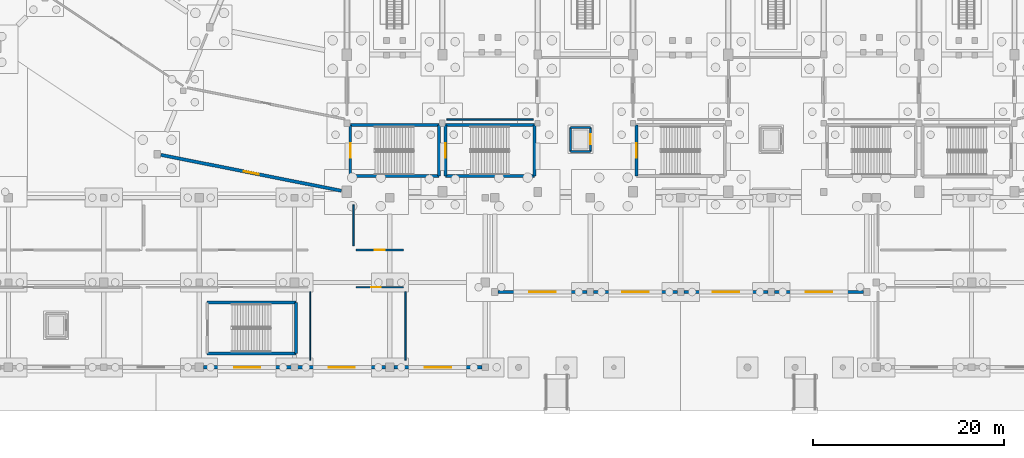
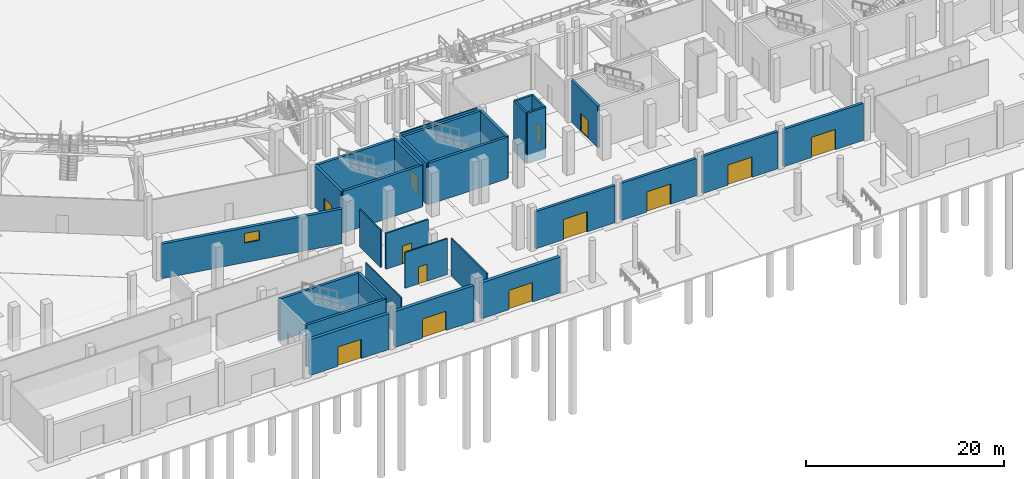
# One storey, part 26 of 68: 30 walls, 13 doors, 1 window, 14 openings.
"""IFC4 building model written with IfcOpenShell, lengths in metres."""

from ifc_helpers import new_model, si_unit, direction, frame, frame_2d, origin, place, context, subcontext, project, spatial, rectangle, extrude, material, layer, layer_set, type_object, element, fill, save


model = new_model("IFC4")

# Units and contexts
model_context = context("Model", 3, precision=1e-05, world=origin(), true_north=direction((0.0, 1.0)))
body_context = subcontext(model_context, "Body", "Model", "MODEL_VIEW")
ifc_project = project(units=[si_unit("LENGTHUNIT", "METRE"), si_unit("AREAUNIT", "SQUARE_METRE"), si_unit("VOLUMEUNIT", "CUBIC_METRE"), si_unit("PLANEANGLEUNIT", "RADIAN"), si_unit("MASSUNIT", "GRAM", prefix="KILO")], contexts=[model_context])

# Site, building, storey
site_placement = place(None, origin())
site = spatial("IfcSite", under=ifc_project, at=site_placement, CompositionType="ELEMENT")
building_placement = place(site_placement, origin())
building = spatial("IfcBuilding", under=site, at=building_placement, Name="Candeia Ridge Stadium", CompositionType="ELEMENT")
storey_placement = place(building_placement, origin())
storey = spatial("IfcBuildingStorey", under=building, at=storey_placement, Name="L00", CompositionType="ELEMENT", Elevation=0.0)

# Wall, opening, door
ifc_material_1 = material(Name="Gypsum Metal-Stud Partition", Category="gypsum")
ifc_layer_1 = layer(ifc_material_1, 0.14501953125, Name="Gypsum Metal-Stud Partition", Category="gypsum")
ifc_layer_set_1 = layer_set([ifc_layer_1], Name="Gypsum Metal-Stud Partition")
wall_type_1 = type_object("IfcWallType", Name="Athlete Recovery Partition 145", PredefinedType="PARTITIONING", material=ifc_layer_set_1)
wall_1_placement = place(storey_placement, frame((71.949951171875, 9.0, 0.0), z_axis=(0.0, 0.0, 1.0), x_axis=(1.0, 0.0, 0.0)))
wall_1 = element("IfcWall", 1, at=wall_1_placement, inside=storey, type_object=wall_type_1, Name="Interior partition PT-L00-0060", PredefinedType="PARTITIONING", context=body_context, shape_type="SweptSolid", body=[
    extrude(rectangle(XDim=4.9599609375, YDim=0.14501953125, at=frame_2d((2.47998046875, 0.0))), origin(), (0.0, 0.0, 1.0), 4.425048828125),
])
opening_1_placement = place(wall_1_placement, frame((1.580078125, 0.0, 0.0)))
opening_1 = element("IfcOpeningElement", 2, at=opening_1_placement, cuts=wall_1, Name="Opening ID06", PredefinedType="OPENING", context=body_context, shape_type="SweptSolid", body=[
    extrude(rectangle(XDim=1.0, YDim=2.10009765625, at=frame_2d((0.5, 1.050048828125))), frame((0.0, 0.08251953125, 0.0), z_axis=(0.0, -1.0, 0.0), x_axis=(1.0, 0.0, 0.0)), (0.0, 0.0, 1.0), 0.1650390625),
])
ifc_material_2 = material(Name="Moisture-Resistant Laminate", Category="wood")
door_type_1 = type_object("IfcDoorType", Name="Accessible Sanitary Door 1000x2100", OperationType="NOTDEFINED", PredefinedType="DOOR", material=ifc_material_2)
door_1_placement = place(opening_1_placement, origin())
door_1 = element("IfcDoor", 3, at=door_1_placement, inside=storey, type_object=door_type_1, Name="Interior room door D-L00-0033", OperationType="SINGLE_SWING_LEFT", OverallHeight=2.10009765625, OverallWidth=1.0, PredefinedType="DOOR", context=body_context, shape_type="SweptSolid", body=[
    extrude(rectangle(XDim=1.0, YDim=2.10009765625, at=frame_2d((0.5, 1.050048828125))), frame((0.0, 0.02490234375, 0.0), z_axis=(0.0, -1.0, 0.0), x_axis=(1.0, 0.0, 0.0)), (0.0, 0.0, 1.0), 0.050048828125),
])
fill(opening_1, door_1)

# Walls
wall_2_placement = place(storey_placement, frame((71.699951171875, 13.35009765625, 0.0), z_axis=(0.0, 0.0, 1.0), x_axis=(0.0, 1.0, 0.0)))
element("IfcWall", 4, at=wall_2_placement, inside=storey, type_object=wall_type_1, Name="Demising partition PT-L00-0063", PredefinedType="PARTITIONING", context=body_context, shape_type="SweptSolid", body=[
    extrude(rectangle(XDim=4.2998046875, YDim=0.14501953125, at=frame_2d((2.14990234375, 0.0))), origin(), (0.0, 0.0, 1.0), 4.625),
])
wall_3_placement = place(storey_placement, frame((90.550048828125, 26.60009765625, 0.0), z_axis=(0.0, 0.0, 1.0), x_axis=(-1.0, 0.0, 0.0)))
element("IfcWall", 5, at=wall_3_placement, inside=storey, type_object=wall_type_1, Name="Demising partition PT-L00-0147", PredefinedType="PARTITIONING", context=body_context, shape_type="SweptSolid", body=[
    extrude(rectangle(XDim=9.06005859375, YDim=0.14501953125, at=frame_2d((4.530029296875, 0.0))), origin(), (0.0, 0.0, 1.0), 5.1201171875),
])
ifc_material_3 = material(Name="Gypsum Acoustic Twin-Stud Assembly", Category="gypsum")
ifc_layer_2 = layer(ifc_material_3, 0.159912109375, Name="Gypsum Acoustic Twin-Stud Assembly", Category="gypsum")
ifc_layer_set_2 = layer_set([ifc_layer_2], Name="Gypsum Acoustic Twin-Stud Assembly")
wall_type_2 = type_object("IfcWallType", Name="Club Dining Acoustic Partition 160", PredefinedType="PARTITIONING", material=ifc_layer_set_2)
wall_4_placement = place(storey_placement, frame((77.159912109375, 8.550048828125, 0.0), z_axis=(0.0, 0.0, 1.0), x_axis=(0.0, -1.0, 0.0)))
element("IfcWall", 6, at=wall_4_placement, inside=storey, type_object=wall_type_2, Name="Demising partition PT-L00-0061", PredefinedType="PARTITIONING", context=body_context, shape_type="SweptSolid", body=[
    extrude(rectangle(XDim=7.199951171875, YDim=0.159912109375, at=frame_2d((3.60009765625, 0.0))), origin(), (0.0, 0.0, 1.0), 4.625),
])
ifc_material_4 = material(Name="Concrete C45/55", Category="concrete")
ifc_layer_3 = layer(ifc_material_4, 0.300048828125, Name="Concrete C45/55", Category="concrete")
ifc_layer_set_3 = layer_set([ifc_layer_3], Name="Concrete C45/55")
wall_type_3 = type_object("IfcWallType", Name="Core Shear Wall Concrete 300", PredefinedType="SHEAR", material=ifc_layer_set_3)
wall_5_placement = place(storey_placement, frame((71.350341796875, 20.650390625, 0.0), z_axis=(0.0, 0.0, 1.0), x_axis=(1.0, 0.0, 0.0)))
element("IfcWall", 7, at=wall_5_placement, inside=storey, type_object=wall_type_3, Name="Core C02 left shear wall L00", PredefinedType="SHEAR", context=body_context, shape_type="SweptSolid", body=[
    extrude(rectangle(XDim=9.29931640625, YDim=0.300048828125, at=frame_2d((4.649658203125, 0.0))), origin(), (0.0, 0.0, 1.0), 5.139892578125),
])
wall_6_placement = place(storey_placement, frame((80.649658203125, 20.650390625, 0.0), z_axis=(0.0, 0.0, 1.0), x_axis=(0.0, 1.0, 0.0)))
element("IfcWall", 8, at=wall_6_placement, inside=storey, type_object=wall_type_3, Name="Core C02 far shear wall L00", PredefinedType="SHEAR", context=body_context, shape_type="SweptSolid", body=[
    extrude(rectangle(XDim=5.34912109375, YDim=0.300048828125, at=frame_2d((2.674560546875, 0.0))), origin(), (0.0, 0.0, 1.0), 5.139892578125),
])
wall_7_placement = place(storey_placement, frame((80.649658203125, 25.99951171875, 0.0), z_axis=(0.0, 0.0, 1.0), x_axis=(-1.0, 0.0, 0.0)))
element("IfcWall", 9, at=wall_7_placement, inside=storey, type_object=wall_type_3, Name="Core C02 right shear wall L00", PredefinedType="SHEAR", context=body_context, shape_type="SweptSolid", body=[
    extrude(rectangle(XDim=9.29931640625, YDim=0.300048828125, at=frame_2d((4.649658203125, 0.0))), origin(), (0.0, 0.0, 1.0), 5.139892578125),
])

# Wall, opening, door
wall_8_placement = place(storey_placement, frame((71.350341796875, 25.99951171875, 0.0), z_axis=(0.0, 0.0, 1.0), x_axis=(0.0, -1.0, 0.0)))
wall_8 = element("IfcWall", 10, at=wall_8_placement, inside=storey, type_object=wall_type_3, Name="Core C02 near shear wall L00", PredefinedType="SHEAR", context=body_context, shape_type="SweptSolid", body=[
    extrude(rectangle(XDim=5.34912109375, YDim=0.300048828125, at=frame_2d((2.674560546875, 0.0))), origin(), (0.0, 0.0, 1.0), 5.139892578125),
])
opening_2_placement = place(wall_8_placement, frame((1.924560546875, 0.0, 0.0)))
opening_2 = element("IfcOpeningElement", 11, at=opening_2_placement, cuts=wall_8, Name="Opening FD01", PredefinedType="OPENING", context=body_context, shape_type="SweptSolid", body=[
    extrude(rectangle(XDim=1.5, YDim=2.199951171875, at=frame_2d((0.75, 1.10009765625))), frame((0.0, 0.159912109375, 0.0), z_axis=(0.0, -1.0, 0.0), x_axis=(1.0, 0.0, 0.0)), (0.0, 0.0, 1.0), 0.320068359375),
])
ifc_material_5 = material(Name="Galvanized Fire-Rated Steel", Category="steel")
door_type_2 = type_object("IfcDoorType", Name="Exit Stair Core Fire Door 1500x2200", OperationType="NOTDEFINED", PredefinedType="DOOR", material=ifc_material_5)
door_2_placement = place(opening_2_placement, frame((1.5, 0.0, 0.0), z_axis=(0.0, 0.0, 1.0), x_axis=(-1.0, 0.0, 0.0)))
door_2 = element("IfcDoor", 12, at=door_2_placement, inside=storey, type_object=door_type_2, Name="Exit stair fire door SD-ST02-L00", OperationType="DOUBLE_DOOR_SINGLE_SWING", OverallHeight=2.199951171875, OverallWidth=1.5, PredefinedType="DOOR", context=body_context, shape_type="SweptSolid", body=[
    extrude(rectangle(XDim=1.5, YDim=2.199951171875, at=frame_2d((0.75, 1.10009765625))), frame((0.0, 0.02490234375, 0.0), z_axis=(0.0, -1.0, 0.0), x_axis=(1.0, 0.0, 0.0)), (0.0, 0.0, 1.0), 0.050048828125),
])
fill(opening_2, door_2)

# Walls
wall_9_placement = place(storey_placement, frame((81.350341796875, 20.650390625, 0.0), z_axis=(0.0, 0.0, 1.0), x_axis=(1.0, 0.0, 0.0)))
element("IfcWall", 13, at=wall_9_placement, inside=storey, type_object=wall_type_3, Name="Core C11 left shear wall L00", PredefinedType="SHEAR", context=body_context, shape_type="SweptSolid", body=[
    extrude(rectangle(XDim=9.29931640625, YDim=0.300048828125, at=frame_2d((4.649658203125, 0.0))), origin(), (0.0, 0.0, 1.0), 5.139892578125),
])
wall_10_placement = place(storey_placement, frame((90.649658203125, 20.650390625, 0.0), z_axis=(0.0, 0.0, 1.0), x_axis=(0.0, 1.0, 0.0)))
element("IfcWall", 14, at=wall_10_placement, inside=storey, type_object=wall_type_3, Name="Core C11 far shear wall L00", PredefinedType="SHEAR", context=body_context, shape_type="SweptSolid", body=[
    extrude(rectangle(XDim=5.34912109375, YDim=0.300048828125, at=frame_2d((2.674560546875, 0.0))), origin(), (0.0, 0.0, 1.0), 5.139892578125),
])
wall_11_placement = place(storey_placement, frame((90.649658203125, 25.99951171875, 0.0), z_axis=(0.0, 0.0, 1.0), x_axis=(-1.0, 0.0, 0.0)))
element("IfcWall", 15, at=wall_11_placement, inside=storey, type_object=wall_type_3, Name="Core C11 right shear wall L00", PredefinedType="SHEAR", context=body_context, shape_type="SweptSolid", body=[
    extrude(rectangle(XDim=9.29931640625, YDim=0.300048828125, at=frame_2d((4.649658203125, 0.0))), origin(), (0.0, 0.0, 1.0), 5.139892578125),
])

# Wall, opening, door
wall_12_placement = place(storey_placement, frame((81.350341796875, 25.99951171875, 0.0), z_axis=(0.0, 0.0, 1.0), x_axis=(0.0, -1.0, 0.0)))
wall_12 = element("IfcWall", 16, at=wall_12_placement, inside=storey, type_object=wall_type_3, Name="Core C11 near shear wall L00", PredefinedType="SHEAR", context=body_context, shape_type="SweptSolid", body=[
    extrude(rectangle(XDim=5.34912109375, YDim=0.300048828125, at=frame_2d((2.674560546875, 0.0))), origin(), (0.0, 0.0, 1.0), 5.139892578125),
])
opening_3_placement = place(wall_12_placement, frame((1.924560546875, 0.0, 0.0)))
opening_3 = element("IfcOpeningElement", 17, at=opening_3_placement, cuts=wall_12, Name="Opening FD01", PredefinedType="OPENING", context=body_context, shape_type="SweptSolid", body=[
    extrude(rectangle(XDim=1.5, YDim=2.199951171875, at=frame_2d((0.75, 1.10009765625))), frame((0.0, 0.159912109375, 0.0), z_axis=(0.0, -1.0, 0.0), x_axis=(1.0, 0.0, 0.0)), (0.0, 0.0, 1.0), 0.320068359375),
])
door_3_placement = place(opening_3_placement, frame((1.5, 0.0, 0.0), z_axis=(0.0, 0.0, 1.0), x_axis=(-1.0, 0.0, 0.0)))
door_3 = element("IfcDoor", 18, at=door_3_placement, inside=storey, type_object=door_type_2, Name="Exit stair fire door SD-ST11-L00", OperationType="DOUBLE_DOOR_SINGLE_SWING", OverallHeight=2.199951171875, OverallWidth=1.5, PredefinedType="DOOR", context=body_context, shape_type="SweptSolid", body=[
    extrude(rectangle(XDim=1.5, YDim=2.199951171875, at=frame_2d((0.75, 1.10009765625))), frame((0.0, 0.02490234375, 0.0), z_axis=(0.0, -1.0, 0.0), x_axis=(1.0, 0.0, 0.0)), (0.0, 0.0, 1.0), 0.050048828125),
])
fill(opening_3, door_3)

# Walls
wall_13_placement = place(storey_placement, frame((56.350341796875, 2.05029296875, 0.0), z_axis=(0.0, 0.0, 1.0), x_axis=(1.0, 0.0, 0.0)))
element("IfcWall", 19, at=wall_13_placement, inside=storey, type_object=wall_type_3, Name="Core C13 left shear wall L00", PredefinedType="SHEAR", context=body_context, shape_type="SweptSolid", body=[
    extrude(rectangle(XDim=9.29931640625, YDim=0.300048828125, at=frame_2d((4.649658203125, 0.0))), origin(), (0.0, 0.0, 1.0), 5.139892578125),
])
wall_14_placement = place(storey_placement, frame((65.649658203125, 2.05029296875, 0.0), z_axis=(0.0, 0.0, 1.0), x_axis=(0.0, 1.0, 0.0)))
element("IfcWall", 20, at=wall_14_placement, inside=storey, type_object=wall_type_3, Name="Core C13 far shear wall L00", PredefinedType="SHEAR", context=body_context, shape_type="SweptSolid", body=[
    extrude(rectangle(XDim=5.349365234375, YDim=0.300048828125, at=frame_2d((2.6748046875, 0.0))), origin(), (0.0, 0.0, 1.0), 5.139892578125),
])
wall_15_placement = place(storey_placement, frame((65.649658203125, 7.399658203125, 0.0), z_axis=(0.0, 0.0, 1.0), x_axis=(-1.0, 0.0, 0.0)))
element("IfcWall", 21, at=wall_15_placement, inside=storey, type_object=wall_type_3, Name="Core C13 right shear wall L00", PredefinedType="SHEAR", context=body_context, shape_type="SweptSolid", body=[
    extrude(rectangle(XDim=9.29931640625, YDim=0.300048828125, at=frame_2d((4.649658203125, 0.0))), origin(), (0.0, 0.0, 1.0), 5.139892578125),
])

# Wall, opening, door
wall_16_placement = place(storey_placement, frame((101.350341796875, 25.99951171875, 0.0), z_axis=(0.0, 0.0, 1.0), x_axis=(0.0, -1.0, 0.0)))
wall_16 = element("IfcWall", 22, at=wall_16_placement, inside=storey, type_object=wall_type_3, Name="Core C18 near shear wall L00", PredefinedType="SHEAR", context=body_context, shape_type="SweptSolid", body=[
    extrude(rectangle(XDim=5.34912109375, YDim=0.300048828125, at=frame_2d((2.674560546875, 0.0))), origin(), (0.0, 0.0, 1.0), 5.139892578125),
])
opening_4_placement = place(wall_16_placement, frame((1.924560546875, 0.0, 0.0)))
opening_4 = element("IfcOpeningElement", 23, at=opening_4_placement, cuts=wall_16, Name="Opening FD01", PredefinedType="OPENING", context=body_context, shape_type="SweptSolid", body=[
    extrude(rectangle(XDim=1.5, YDim=2.199951171875, at=frame_2d((0.75, 1.10009765625))), frame((0.0, 0.159912109375, 0.0), z_axis=(0.0, -1.0, 0.0), x_axis=(1.0, 0.0, 0.0)), (0.0, 0.0, 1.0), 0.320068359375),
])
door_4_placement = place(opening_4_placement, frame((1.5, 0.0, 0.0), z_axis=(0.0, 0.0, 1.0), x_axis=(-1.0, 0.0, 0.0)))
door_4 = element("IfcDoor", 24, at=door_4_placement, inside=storey, type_object=door_type_2, Name="Exit stair fire door SD-ST18-L00", OperationType="DOUBLE_DOOR_SINGLE_SWING", OverallHeight=2.199951171875, OverallWidth=1.5, PredefinedType="DOOR", context=body_context, shape_type="SweptSolid", body=[
    extrude(rectangle(XDim=1.5, YDim=2.199951171875, at=frame_2d((0.75, 1.10009765625))), frame((0.0, 0.02490234375, 0.0), z_axis=(0.0, -1.0, 0.0), x_axis=(1.0, 0.0, 0.0)), (0.0, 0.0, 1.0), 0.050048828125),
])
fill(opening_4, door_4)

ifc_layer_4 = layer(ifc_material_3, 0.179931640625, Name="Gypsum Acoustic Twin-Stud Assembly", Category="gypsum")
ifc_layer_set_4 = layer_set([ifc_layer_4], Name="Gypsum Acoustic Twin-Stud Assembly")
wall_type_4 = type_object("IfcWallType", Name="Corridor Fire Partition 180", PredefinedType="PARTITIONING", material=ifc_layer_set_4)
wall_17_placement = place(storey_placement, frame((76.909912109375, 12.89990234375, 0.0), z_axis=(0.0, 0.0, 1.0), x_axis=(-1.0, 0.0, 0.0)))
wall_17 = element("IfcWall", 25, at=wall_17_placement, inside=storey, type_object=wall_type_4, Name="Interior partition PT-L00-0062", PredefinedType="PARTITIONING", context=body_context, shape_type="SweptSolid", body=[
    extrude(rectangle(XDim=4.9599609375, YDim=0.179931640625, at=frame_2d((2.47998046875, 0.0))), origin(), (0.0, 0.0, 1.0), 4.425048828125),
])
opening_5_placement = place(wall_17_placement, frame((1.955078125, 0.0, 0.0)))
opening_5 = element("IfcOpeningElement", 26, at=opening_5_placement, cuts=wall_17, Name="Opening ID01", PredefinedType="OPENING", context=body_context, shape_type="SweptSolid", body=[
    extrude(rectangle(XDim=1.050048828125, YDim=2.199951171875, at=frame_2d((0.52490234375, 1.10009765625))), frame((0.0, 0.099853515625, 0.0), z_axis=(0.0, -1.0, 0.0), x_axis=(1.0, 0.0, 0.0)), (0.0, 0.0, 1.0), 0.199951171875),
])
ifc_material_6 = material(Name="Western Red Cedar Acoustic Veneer", Category="wood")
door_type_3 = type_object("IfcDoorType", Name="Hospitality Suite Entrance Door 1050x2200", OperationType="NOTDEFINED", PredefinedType="DOOR", material=ifc_material_6)
door_5_placement = place(opening_5_placement, origin())
door_5 = element("IfcDoor", 27, at=door_5_placement, inside=storey, type_object=door_type_3, Name="Interior room door D-L00-0034", OperationType="SINGLE_SWING_RIGHT", OverallHeight=2.199951171875, OverallWidth=1.050048828125, PredefinedType="DOOR", context=body_context, shape_type="SweptSolid", body=[
    extrude(rectangle(XDim=1.050048828125, YDim=2.199951171875, at=frame_2d((0.52490234375, 1.10009765625))), frame((0.0, 0.02490234375, 0.0), z_axis=(0.0, -1.0, 0.0), x_axis=(1.0, 0.0, 0.0)), (0.0, 0.0, 1.0), 0.050048828125),
])
fill(opening_5, door_5)

# Wall, opening, window
ifc_material_7 = material(Name="Concrete C40/50", Category="concrete")
ifc_layer_5 = layer(ifc_material_7, 0.340087890625, Name="Concrete C40/50", Category="concrete")
ifc_layer_set_5 = layer_set([ifc_layer_5], Name="Concrete C40/50")
wall_type_5 = type_object("IfcWallType", Name="Exterior Acoustic Bowl Plinth Wall 340", PredefinedType="SOLIDWALL", material=ifc_layer_set_5)
wall_18_placement = place(storey_placement, frame((51.488525390625, 22.881103515625, 0.0), z_axis=(0.0, 0.0, 1.0), x_axis=(0.98078547189, -0.195089359346, 0.0)))
wall_18 = element("IfcWall", 28, at=wall_18_placement, inside=storey, type_object=wall_type_5, Name="Bowl plinth exterior wall EW-L00-0004", PredefinedType="SOLIDWALL", context=body_context, shape_type="SweptSolid", body=[
    extrude(rectangle(XDim=19.29833984375, YDim=0.340087890625, at=frame_2d((9.649169921875, 0.0))), origin(), (0.0, 0.0, 1.0), 4.27490234375),
])
opening_6_placement = place(wall_18_placement, frame((8.84912109375, 0.0, 2.39990234375)))
opening_6 = element("IfcOpeningElement", 29, at=opening_6_placement, cuts=wall_18, Name="Opening W15", PredefinedType="OPENING", context=body_context, shape_type="SweptSolid", body=[
    extrude(rectangle(XDim=1.60009765625, YDim=1.199951171875, at=frame_2d((0.800048828125, 0.60009765625))), frame((0.0, 0.179931640625, 0.0), z_axis=(0.0, -1.0, 0.0), x_axis=(1.0, 0.0, 0.0)), (0.0, 0.0, 1.0), 0.360107421875),
])
ifc_material_8 = material(Name="Tempered Solar-Control Double Glazing", Category="glass")
window_type = type_object("IfcWindowType", Name="Plant Acoustic Louvre Window 1600x1200", PartitioningType="SINGLE_PANEL", PredefinedType="WINDOW", material=ifc_material_8)
window_placement = place(opening_6_placement, origin())
window = element("IfcWindow", 30, at=window_placement, inside=storey, type_object=window_type, Name="Bowl plinth louvre window WIN-BWL-004", OverallHeight=1.199951171875, OverallWidth=1.60009765625, PartitioningType="SINGLE_PANEL", PredefinedType="WINDOW", context=body_context, shape_type="SweptSolid", body=[
    extrude(rectangle(XDim=1.60009765625, YDim=1.199951171875, at=frame_2d((0.800048828125, 0.60009765625))), frame((0.0, 0.030029296875, 0.0), z_axis=(0.0, -1.0, 0.0), x_axis=(1.0, 0.0, 0.0)), (0.0, 0.0, 1.0), 0.06005859375),
])
fill(opening_6, window)

# Wall, opening, door
ifc_material_9 = material(Name="Concrete C35/45", Category="concrete")
ifc_layer_6 = layer(ifc_material_9, 0.31005859375, Name="Concrete C35/45", Category="concrete")
ifc_layer_set_6 = layer_set([ifc_layer_6], Name="Concrete C35/45")
wall_type_6 = type_object("IfcWallType", Name="Exterior Gate Spandrel Wall 310", PredefinedType="STANDARD", material=ifc_layer_set_6)
wall_19_placement = place(storey_placement, frame((86.837890625, 8.5, 0.0), z_axis=(0.0, 0.0, 1.0), x_axis=(1.0, 0.0, 0.0)))
wall_19 = element("IfcWall", 31, at=wall_19_placement, inside=storey, type_object=wall_type_6, Name="Exterior facade wall EW-L00-0166", PredefinedType="STANDARD", context=body_context, shape_type="SweptSolid", body=[
    extrude(rectangle(XDim=9.32421875, YDim=0.31005859375, at=frame_2d((4.662109375, 0.0))), origin(), (0.0, 0.0, 1.0), 4.592041015625),
])
opening_7_placement = place(wall_19_placement, frame((3.261962890625, 0.0, 0.0)))
opening_7 = element("IfcOpeningElement", 32, at=opening_7_placement, cuts=wall_19, Name="Opening ED03", PredefinedType="OPENING", context=body_context, shape_type="SweptSolid", body=[
    extrude(rectangle(XDim=2.800048828125, YDim=2.5, at=frame_2d((1.39990234375, 1.25))), frame((0.0, 0.1650390625, 0.0), z_axis=(0.0, -1.0, 0.0), x_axis=(1.0, 0.0, 0.0)), (0.0, 0.0, 1.0), 0.330078125),
])
ifc_material_10 = material(Name="Aluminium Anodized Glazed Door", Category="aluminium")
door_type_4 = type_object("IfcDoorType", Name="Main Entrance Double Door 2800x2500", OperationType="NOTDEFINED", PredefinedType="DOOR", material=ifc_material_10)
door_6_placement = place(opening_7_placement, frame((2.800048828125, 0.0, 0.0), z_axis=(0.0, 0.0, 1.0), x_axis=(-1.0, 0.0, 0.0)))
door_6 = element("IfcDoor", 33, at=door_6_placement, inside=storey, type_object=door_type_4, Name="Pedestrian exit gate G27", OperationType="DOUBLE_DOOR_SINGLE_SWING", OverallHeight=2.5, OverallWidth=2.800048828125, PredefinedType="DOOR", context=body_context, shape_type="SweptSolid", body=[
    extrude(rectangle(XDim=2.800048828125, YDim=2.5, at=frame_2d((1.39990234375, 1.25))), frame((0.0, 0.02490234375, 0.0), z_axis=(0.0, -1.0, 0.0), x_axis=(1.0, 0.0, 0.0)), (0.0, 0.0, 1.0), 0.050048828125),
])
fill(opening_7, door_6)

wall_20_placement = place(storey_placement, frame((96.837890625, 8.5, 0.0), z_axis=(0.0, 0.0, 1.0), x_axis=(1.0, 0.0, 0.0)))
wall_20 = element("IfcWall", 34, at=wall_20_placement, inside=storey, type_object=wall_type_6, Name="Exterior facade wall EW-L00-0167", PredefinedType="STANDARD", context=body_context, shape_type="SweptSolid", body=[
    extrude(rectangle(XDim=8.82421875, YDim=0.31005859375, at=frame_2d((4.412109375, 0.0))), origin(), (0.0, 0.0, 1.0), 4.592041015625),
])
opening_8_placement = place(wall_20_placement, frame((3.011962890625, 0.0, 0.0)))
opening_8 = element("IfcOpeningElement", 35, at=opening_8_placement, cuts=wall_20, Name="Opening ED03", PredefinedType="OPENING", context=body_context, shape_type="SweptSolid", body=[
    extrude(rectangle(XDim=2.800048828125, YDim=2.5, at=frame_2d((1.39990234375, 1.25))), frame((0.0, 0.1650390625, 0.0), z_axis=(0.0, -1.0, 0.0), x_axis=(1.0, 0.0, 0.0)), (0.0, 0.0, 1.0), 0.330078125),
])
door_7_placement = place(opening_8_placement, frame((2.800048828125, 0.0, 0.0), z_axis=(0.0, 0.0, 1.0), x_axis=(-1.0, 0.0, 0.0)))
door_7 = element("IfcDoor", 36, at=door_7_placement, inside=storey, type_object=door_type_4, Name="Main entrance E01", OperationType="DOUBLE_DOOR_SINGLE_SWING", OverallHeight=2.5, OverallWidth=2.800048828125, PredefinedType="DOOR", context=body_context, shape_type="SweptSolid", body=[
    extrude(rectangle(XDim=2.800048828125, YDim=2.5, at=frame_2d((1.39990234375, 1.25))), frame((0.0, 0.02490234375, 0.0), z_axis=(0.0, -1.0, 0.0), x_axis=(1.0, 0.0, 0.0)), (0.0, 0.0, 1.0), 0.050048828125),
])
fill(opening_8, door_7)

wall_21_placement = place(storey_placement, frame((106.337890625, 8.5, 0.0), z_axis=(0.0, 0.0, 1.0), x_axis=(1.0, 0.0, 0.0)))
wall_21 = element("IfcWall", 37, at=wall_21_placement, inside=storey, type_object=wall_type_6, Name="Exterior facade wall EW-L00-0168", PredefinedType="STANDARD", context=body_context, shape_type="SweptSolid", body=[
    extrude(rectangle(XDim=8.82421875, YDim=0.31005859375, at=frame_2d((4.412109375, 0.0))), origin(), (0.0, 0.0, 1.0), 4.592041015625),
])
opening_9_placement = place(wall_21_placement, frame((3.011962890625, 0.0, 0.0)))
opening_9 = element("IfcOpeningElement", 38, at=opening_9_placement, cuts=wall_21, Name="Opening ED03", PredefinedType="OPENING", context=body_context, shape_type="SweptSolid", body=[
    extrude(rectangle(XDim=2.800048828125, YDim=2.5, at=frame_2d((1.39990234375, 1.25))), frame((0.0, 0.1650390625, 0.0), z_axis=(0.0, -1.0, 0.0), x_axis=(1.0, 0.0, 0.0)), (0.0, 0.0, 1.0), 0.330078125),
])
door_8_placement = place(opening_9_placement, frame((2.800048828125, 0.0, 0.0), z_axis=(0.0, 0.0, 1.0), x_axis=(-1.0, 0.0, 0.0)))
door_8 = element("IfcDoor", 39, at=door_8_placement, inside=storey, type_object=door_type_4, Name="Main entrance E02", OperationType="DOUBLE_DOOR_SINGLE_SWING", OverallHeight=2.5, OverallWidth=2.800048828125, PredefinedType="DOOR", context=body_context, shape_type="SweptSolid", body=[
    extrude(rectangle(XDim=2.800048828125, YDim=2.5, at=frame_2d((1.39990234375, 1.25))), frame((0.0, 0.02490234375, 0.0), z_axis=(0.0, -1.0, 0.0), x_axis=(1.0, 0.0, 0.0)), (0.0, 0.0, 1.0), 0.050048828125),
])
fill(opening_9, door_8)

wall_22_placement = place(storey_placement, frame((115.837890625, 8.5, 0.0), z_axis=(0.0, 0.0, 1.0), x_axis=(1.0, 0.0, 0.0)))
wall_22 = element("IfcWall", 40, at=wall_22_placement, inside=storey, type_object=wall_type_6, Name="Exterior facade wall EW-L00-0169", PredefinedType="STANDARD", context=body_context, shape_type="SweptSolid", body=[
    extrude(rectangle(XDim=9.32421875, YDim=0.31005859375, at=frame_2d((4.662109375, 0.0))), origin(), (0.0, 0.0, 1.0), 4.592041015625),
])
opening_10_placement = place(wall_22_placement, frame((3.261962890625, 0.0, 0.0)))
opening_10 = element("IfcOpeningElement", 41, at=opening_10_placement, cuts=wall_22, Name="Opening ED03", PredefinedType="OPENING", context=body_context, shape_type="SweptSolid", body=[
    extrude(rectangle(XDim=2.800048828125, YDim=2.5, at=frame_2d((1.39990234375, 1.25))), frame((0.0, 0.1650390625, 0.0), z_axis=(0.0, -1.0, 0.0), x_axis=(1.0, 0.0, 0.0)), (0.0, 0.0, 1.0), 0.330078125),
])
door_9_placement = place(opening_10_placement, frame((2.800048828125, 0.0, 0.0), z_axis=(0.0, 0.0, 1.0), x_axis=(-1.0, 0.0, 0.0)))
door_9 = element("IfcDoor", 42, at=door_9_placement, inside=storey, type_object=door_type_4, Name="Pedestrian exit gate G28", OperationType="DOUBLE_DOOR_SINGLE_SWING", OverallHeight=2.5, OverallWidth=2.800048828125, PredefinedType="DOOR", context=body_context, shape_type="SweptSolid", body=[
    extrude(rectangle(XDim=2.800048828125, YDim=2.5, at=frame_2d((1.39990234375, 1.25))), frame((0.0, 0.02490234375, 0.0), z_axis=(0.0, -1.0, 0.0), x_axis=(1.0, 0.0, 0.0)), (0.0, 0.0, 1.0), 0.050048828125),
])
fill(opening_10, door_9)

ifc_layer_7 = layer(ifc_material_7, 0.3798828125, Name="Concrete C40/50", Category="concrete")
ifc_layer_set_7 = layer_set([ifc_layer_7], Name="Concrete C40/50")
wall_type_7 = type_object("IfcWallType", Name="Exterior Museum Gallery Wall 380", PredefinedType="SOLIDWALL", material=ifc_layer_set_7)
wall_23_placement = place(storey_placement, frame((55.93798828125, 0.60009765625, 0.0), z_axis=(0.0, 0.0, 1.0), x_axis=(1.0, 0.0, 0.0)))
wall_23 = element("IfcWall", 43, at=wall_23_placement, inside=storey, type_object=wall_type_7, Name="Exterior facade wall EW-L00-0157", PredefinedType="SOLIDWALL", context=body_context, shape_type="SweptSolid", body=[
    extrude(rectangle(XDim=9.22412109375, YDim=0.3798828125, at=frame_2d((4.612060546875, 0.0))), origin(), (0.0, 0.0, 1.0), 4.425048828125),
])
opening_11_placement = place(wall_23_placement, frame((3.237060546875, 0.0, 0.0)))
opening_11 = element("IfcOpeningElement", 44, at=opening_11_placement, cuts=wall_23, Name="Opening ED01", PredefinedType="OPENING", context=body_context, shape_type="SweptSolid", body=[
    extrude(rectangle(XDim=2.75, YDim=2.39990234375, at=frame_2d((1.375, 1.199951171875))), frame((0.0, 0.199951171875, 0.0), z_axis=(0.0, -1.0, 0.0), x_axis=(1.0, 0.0, 0.0)), (0.0, 0.0, 1.0), 0.39990234375),
])
door_type_5 = type_object("IfcDoorType", Name="Pedestrian Exit Double Door 2750x2400", OperationType="NOTDEFINED", PredefinedType="DOOR", material=ifc_material_10)
door_10_placement = place(opening_11_placement, frame((2.75, 0.0, 0.0), z_axis=(0.0, 0.0, 1.0), x_axis=(-1.0, 0.0, 0.0)))
door_10 = element("IfcDoor", 45, at=door_10_placement, inside=storey, type_object=door_type_5, Name="Pedestrian exit gate G18", OperationType="DOUBLE_DOOR_SINGLE_SWING", OverallHeight=2.39990234375, OverallWidth=2.75, PredefinedType="DOOR", context=body_context, shape_type="SweptSolid", body=[
    extrude(rectangle(XDim=2.75, YDim=2.39990234375, at=frame_2d((1.375, 1.199951171875))), frame((0.0, 0.02490234375, 0.0), z_axis=(0.0, -1.0, 0.0), x_axis=(1.0, 0.0, 0.0)), (0.0, 0.0, 1.0), 0.050048828125),
])
fill(opening_11, door_10)

wall_24_placement = place(storey_placement, frame((65.837890625, 0.60009765625, 0.0), z_axis=(0.0, 0.0, 1.0), x_axis=(1.0, 0.0, 0.0)))
wall_24 = element("IfcWall", 46, at=wall_24_placement, inside=storey, type_object=wall_type_7, Name="Exterior facade wall EW-L00-0158", PredefinedType="SOLIDWALL", context=body_context, shape_type="SweptSolid", body=[
    extrude(rectangle(XDim=9.22412109375, YDim=0.3798828125, at=frame_2d((4.612060546875, 0.0))), origin(), (0.0, 0.0, 1.0), 4.425048828125),
])
opening_12_placement = place(wall_24_placement, frame((3.237060546875, 0.0, 0.0)))
opening_12 = element("IfcOpeningElement", 47, at=opening_12_placement, cuts=wall_24, Name="Opening ED01", PredefinedType="OPENING", context=body_context, shape_type="SweptSolid", body=[
    extrude(rectangle(XDim=2.75, YDim=2.39990234375, at=frame_2d((1.375, 1.199951171875))), frame((0.0, 0.199951171875, 0.0), z_axis=(0.0, -1.0, 0.0), x_axis=(1.0, 0.0, 0.0)), (0.0, 0.0, 1.0), 0.39990234375),
])
door_11_placement = place(opening_12_placement, frame((2.75, 0.0, 0.0), z_axis=(0.0, 0.0, 1.0), x_axis=(-1.0, 0.0, 0.0)))
door_11 = element("IfcDoor", 48, at=door_11_placement, inside=storey, type_object=door_type_5, Name="Pedestrian exit gate G19", OperationType="DOUBLE_DOOR_SINGLE_SWING", OverallHeight=2.39990234375, OverallWidth=2.75, PredefinedType="DOOR", context=body_context, shape_type="SweptSolid", body=[
    extrude(rectangle(XDim=2.75, YDim=2.39990234375, at=frame_2d((1.375, 1.199951171875))), frame((0.0, 0.02490234375, 0.0), z_axis=(0.0, -1.0, 0.0), x_axis=(1.0, 0.0, 0.0)), (0.0, 0.0, 1.0), 0.050048828125),
])
fill(opening_12, door_11)

wall_25_placement = place(storey_placement, frame((75.93798828125, 0.60009765625, 0.0), z_axis=(0.0, 0.0, 1.0), x_axis=(1.0, 0.0, 0.0)))
wall_25 = element("IfcWall", 49, at=wall_25_placement, inside=storey, type_object=wall_type_7, Name="Exterior facade wall EW-L00-0159", PredefinedType="SOLIDWALL", context=body_context, shape_type="SweptSolid", body=[
    extrude(rectangle(XDim=9.22412109375, YDim=0.3798828125, at=frame_2d((4.612060546875, 0.0))), origin(), (0.0, 0.0, 1.0), 4.425048828125),
])
opening_13_placement = place(wall_25_placement, frame((3.237060546875, 0.0, 0.0)))
opening_13 = element("IfcOpeningElement", 50, at=opening_13_placement, cuts=wall_25, Name="Opening ED01", PredefinedType="OPENING", context=body_context, shape_type="SweptSolid", body=[
    extrude(rectangle(XDim=2.75, YDim=2.39990234375, at=frame_2d((1.375, 1.199951171875))), frame((0.0, 0.199951171875, 0.0), z_axis=(0.0, -1.0, 0.0), x_axis=(1.0, 0.0, 0.0)), (0.0, 0.0, 1.0), 0.39990234375),
])
door_12_placement = place(opening_13_placement, frame((2.75, 0.0, 0.0), z_axis=(0.0, 0.0, 1.0), x_axis=(-1.0, 0.0, 0.0)))
door_12 = element("IfcDoor", 51, at=door_12_placement, inside=storey, type_object=door_type_5, Name="Pedestrian exit gate G20", OperationType="DOUBLE_DOOR_SINGLE_SWING", OverallHeight=2.39990234375, OverallWidth=2.75, PredefinedType="DOOR", context=body_context, shape_type="SweptSolid", body=[
    extrude(rectangle(XDim=2.75, YDim=2.39990234375, at=frame_2d((1.375, 1.199951171875))), frame((0.0, 0.02490234375, 0.0), z_axis=(0.0, -1.0, 0.0), x_axis=(1.0, 0.0, 0.0)), (0.0, 0.0, 1.0), 0.050048828125),
])
fill(opening_13, door_12)

# Wall
ifc_layer_8 = layer(ifc_material_7, 0.219970703125, Name="Concrete C40/50", Category="concrete")
ifc_layer_set_8 = layer_set([ifc_layer_8], Name="Concrete C40/50")
wall_type_8 = type_object("IfcWallType", Name="Lift & Riser Shaft Wall 220", PredefinedType="SHEAR", material=ifc_layer_set_8)
wall_26_placement = place(storey_placement, frame((94.43994140625, 23.239990234375, -1.10009765625), z_axis=(0.0, 0.0, 1.0), x_axis=(1.0, 0.0, 0.0)))
element("IfcWall", 52, at=wall_26_placement, inside=storey, type_object=wall_type_8, Name="Lift PL3 shaft wall L00 south", PredefinedType="SHEAR", context=body_context, shape_type="SweptSolid", body=[
    extrude(rectangle(XDim=2.1201171875, YDim=0.219970703125, at=frame_2d((1.06005859375, 0.0))), origin(), (0.0, 0.0, 1.0), 6.239990234375),
])

# Wall, opening, door
wall_27_placement = place(storey_placement, frame((96.56005859375, 23.239990234375, -1.10009765625), z_axis=(0.0, 0.0, 1.0), x_axis=(0.0, 1.0, 0.0)))
wall_27 = element("IfcWall", 53, at=wall_27_placement, inside=storey, type_object=wall_type_8, Name="Lift PL3 shaft wall L00 east", PredefinedType="SHEAR", context=body_context, shape_type="SweptSolid", body=[
    extrude(rectangle(XDim=2.52001953125, YDim=0.219970703125, at=frame_2d((1.260009765625, 0.0))), origin(), (0.0, 0.0, 1.0), 6.239990234375),
])
opening_14_placement = place(wall_27_placement, frame((0.735107421875, 0.0, 1.10009765625)))
opening_14 = element("IfcOpeningElement", 54, at=opening_14_placement, cuts=wall_27, Name="Opening LD02", PredefinedType="OPENING", context=body_context, shape_type="SweptSolid", body=[
    extrude(rectangle(XDim=1.050048828125, YDim=2.14990234375, at=frame_2d((0.52490234375, 1.074951171875))), frame((0.0, 0.119873046875, 0.0), z_axis=(0.0, -1.0, 0.0), x_axis=(1.0, 0.0, 0.0)), (0.0, 0.0, 1.0), 0.239990234375),
])
ifc_material_11 = material(Name="Brushed Stainless Steel", Category="steel")
door_type_6 = type_object("IfcDoorType", Name="Passenger Lift Landing Door 1050x2150", OperationType="NOTDEFINED", PredefinedType="DOOR", material=ifc_material_11)
door_13_placement = place(opening_14_placement, origin())
door_13 = element("IfcDoor", 55, at=door_13_placement, inside=storey, type_object=door_type_6, Name="Lift landing sliding door LD-PL3-L00", OperationType="DOUBLE_DOOR_SLIDING", OverallHeight=2.14990234375, OverallWidth=1.050048828125, PredefinedType="DOOR", context=body_context, shape_type="SweptSolid", body=[
    extrude(rectangle(XDim=1.050048828125, YDim=2.14990234375, at=frame_2d((0.52490234375, 1.074951171875))), frame((0.0, 0.02490234375, 0.0), z_axis=(0.0, -1.0, 0.0), x_axis=(1.0, 0.0, 0.0)), (0.0, 0.0, 1.0), 0.050048828125),
])
fill(opening_14, door_13)

# Walls
wall_28_placement = place(storey_placement, frame((96.56005859375, 25.760009765625, -1.10009765625), z_axis=(0.0, 0.0, 1.0), x_axis=(-1.0, 0.0, 0.0)))
element("IfcWall", 56, at=wall_28_placement, inside=storey, type_object=wall_type_8, Name="Lift PL3 shaft wall L00 north", PredefinedType="SHEAR", context=body_context, shape_type="SweptSolid", body=[
    extrude(rectangle(XDim=2.1201171875, YDim=0.219970703125, at=frame_2d((1.06005859375, 0.0))), origin(), (0.0, 0.0, 1.0), 6.239990234375),
])
wall_29_placement = place(storey_placement, frame((94.43994140625, 25.760009765625, -1.10009765625), z_axis=(0.0, 0.0, 1.0), x_axis=(0.0, -1.0, 0.0)))
element("IfcWall", 57, at=wall_29_placement, inside=storey, type_object=wall_type_8, Name="Lift PL3 shaft wall L00 west", PredefinedType="SHEAR", context=body_context, shape_type="SweptSolid", body=[
    extrude(rectangle(XDim=2.52001953125, YDim=0.219970703125, at=frame_2d((1.260009765625, 0.0))), origin(), (0.0, 0.0, 1.0), 6.239990234375),
])
ifc_layer_9 = layer(ifc_material_1, 0.1201171875, Name="Gypsum Metal-Stud Partition", Category="gypsum")
ifc_layer_set_9 = layer_set([ifc_layer_9], Name="Gypsum Metal-Stud Partition")
wall_type_9 = type_object("IfcWallType", Name="Suite Internal Divider 120", PredefinedType="PARTITIONING", material=ifc_layer_set_9)
wall_30_placement = place(storey_placement, frame((67.159912109375, 8.550048828125, 0.0), z_axis=(0.0, 0.0, 1.0), x_axis=(0.0, -1.0, 0.0)))
element("IfcWall", 58, at=wall_30_placement, inside=storey, type_object=wall_type_9, Name="Demising partition PT-L00-0057", PredefinedType="PARTITIONING", context=body_context, shape_type="SweptSolid", body=[
    extrude(rectangle(XDim=7.199951171875, YDim=0.1201171875, at=frame_2d((3.60009765625, 0.0))), origin(), (0.0, 0.0, 1.0), 5.1201171875),
])

save(model, "model.ifc")
